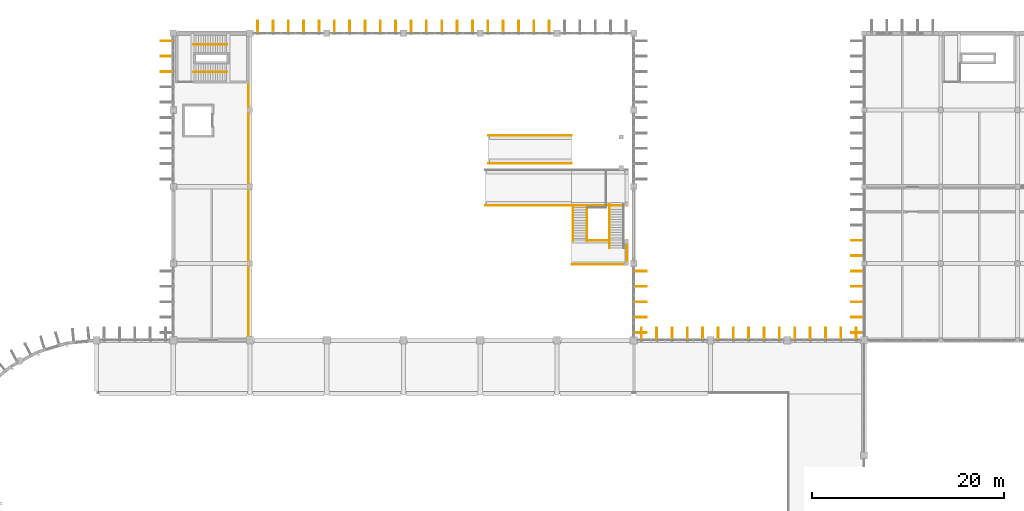
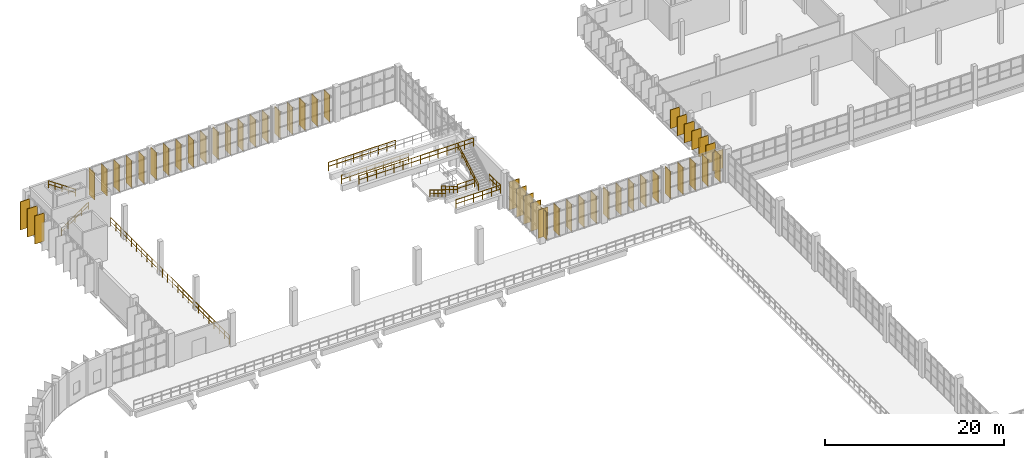
# One storey, part 90 of 93: 50 coverings, 50 shading devices, 12 railings.
"""IFC4 building model written with IfcOpenShell, lengths in metres."""

from ifc_helpers import new_model, si_unit, direction, frame, origin, origin_2d, place, context, subcontext, project, spatial, rectangle, circle, extrude, material, type_object, element, save


model = new_model("IFC4")

# Units and contexts
model_context = context("Model", 3, precision=1e-05, world=origin(), true_north=direction((0.0, 1.0)))
body_context = subcontext(model_context, "Body", "Model", "MODEL_VIEW")
ifc_project = project(units=[si_unit("LENGTHUNIT", "METRE"), si_unit("AREAUNIT", "SQUARE_METRE"), si_unit("VOLUMEUNIT", "CUBIC_METRE"), si_unit("PLANEANGLEUNIT", "RADIAN"), si_unit("MASSUNIT", "GRAM", prefix="KILO")], contexts=[model_context])

# Site, building, storey
site_placement = place(None, origin())
site = spatial("IfcSite", under=ifc_project, at=site_placement, CompositionType="ELEMENT")
building_placement = place(site_placement, origin())
building = spatial("IfcBuilding", under=site, at=building_placement, Name="Drelvana Railside Aquatics Centre", CompositionType="ELEMENT")
storey_placement = place(building_placement, frame((0.0, 0.0, 5.39990234375)))
storey = spatial("IfcBuildingStorey", under=building, at=storey_placement, Name="L01", CompositionType="ELEMENT", Elevation=5.39990234375)

# Coverings
ifc_material_1 = material(Name="Bronze-anodised extruded aluminium 6063-T6", Category="aluminium")
covering_type = type_object("IfcCoveringType", Name="COV-FIN-ALU", PredefinedType="CLADDING", material=ifc_material_1)
for number, where, z_axis, x_axis, name in (
    (1, (72.800048828125, 84.669921875, 0.0), (0.0, 0.0, 1.0), (1.0, 0.0, 0.0), "Vertical aluminium fin cladding CF-0150"),
    (2, (74.39990234375, 84.669921875, 0.0), (0.0, 0.0, 1.0), (1.0, 0.0, 0.0), "Vertical aluminium fin cladding CF-0151"),
    (3, (76.0, 84.669921875, 0.0), (0.0, 0.0, 1.0), (1.0, 0.0, 0.0), "Vertical aluminium fin cladding CF-0152"),
    (4, (77.60009765625, 84.669921875, 0.0), (0.0, 0.0, 1.0), (1.0, 0.0, 0.0), "Vertical aluminium fin cladding CF-0153"),
    (5, (79.199951171875, 84.669921875, 0.0), (0.0, 0.0, 1.0), (1.0, 0.0, 0.0), "Vertical aluminium fin cladding CF-0154"),
    (6, (80.800048828125, 84.669921875, 0.0), (0.0, 0.0, 1.0), (1.0, 0.0, 0.0), "Vertical aluminium fin cladding CF-0155"),
    (7, (82.39990234375, 84.669921875, 0.0), (0.0, 0.0, 1.0), (1.0, 0.0, 0.0), "Vertical aluminium fin cladding CF-0156"),
    (8, (84.0, 84.669921875, 0.0), (0.0, 0.0, 1.0), (1.0, 0.0, 0.0), "Vertical aluminium fin cladding CF-0157"),
    (9, (85.60009765625, 84.669921875, 0.0), (0.0, 0.0, 1.0), (1.0, 0.0, 0.0), "Vertical aluminium fin cladding CF-0158"),
    (10, (87.199951171875, 84.669921875, 0.0), (0.0, 0.0, 1.0), (1.0, 0.0, 0.0), "Vertical aluminium fin cladding CF-0159"),
    (11, (88.800048828125, 84.669921875, 0.0), (0.0, 0.0, 1.0), (1.0, 0.0, 0.0), "Vertical aluminium fin cladding CF-0165"),
    (12, (90.39990234375, 84.669921875, 0.0), (0.0, 0.0, 1.0), (1.0, 0.0, 0.0), "Vertical aluminium fin cladding CF-0166"),
    (13, (92.0, 84.669921875, 0.0), (0.0, 0.0, 1.0), (1.0, 0.0, 0.0), "Vertical aluminium fin cladding CF-0167"),
    (14, (93.60009765625, 84.669921875, 0.0), (0.0, 0.0, 1.0), (1.0, 0.0, 0.0), "Vertical aluminium fin cladding CF-0168"),
    (15, (95.199951171875, 84.669921875, 0.0), (0.0, 0.0, 1.0), (1.0, 0.0, 0.0), "Vertical aluminium fin cladding CF-0169"),
    (16, (32.800048828125, 116.669921875, 0.0), (0.0, 0.0, 1.0), (1.0, 0.0, 0.0), "Vertical aluminium fin cladding CF-0170"),
    (17, (34.39990234375, 116.669921875, 0.0), (0.0, 0.0, 1.0), (1.0, 0.0, 0.0), "Vertical aluminium fin cladding CF-0171"),
    (18, (36.0, 116.669921875, 0.0), (0.0, 0.0, 1.0), (1.0, 0.0, 0.0), "Vertical aluminium fin cladding CF-0172"),
    (19, (37.60009765625, 116.669921875, 0.0), (0.0, 0.0, 1.0), (1.0, 0.0, 0.0), "Vertical aluminium fin cladding CF-0173"),
    (20, (39.199951171875, 116.669921875, 0.0), (0.0, 0.0, 1.0), (1.0, 0.0, 0.0), "Vertical aluminium fin cladding CF-0174"),
    (21, (40.800048828125, 116.669921875, 0.0), (0.0, 0.0, 1.0), (1.0, 0.0, 0.0), "Vertical aluminium fin cladding CF-0175"),
    (22, (42.39990234375, 116.669921875, 0.0), (0.0, 0.0, 1.0), (1.0, 0.0, 0.0), "Vertical aluminium fin cladding CF-0176"),
    (23, (44.0, 116.669921875, 0.0), (0.0, 0.0, 1.0), (1.0, 0.0, 0.0), "Vertical aluminium fin cladding CF-0177"),
    (24, (45.60009765625, 116.669921875, 0.0), (0.0, 0.0, 1.0), (1.0, 0.0, 0.0), "Vertical aluminium fin cladding CF-0178"),
    (25, (47.199951171875, 116.669921875, 0.0), (0.0, 0.0, 1.0), (1.0, 0.0, 0.0), "Vertical aluminium fin cladding CF-0179"),
    (26, (48.800048828125, 116.669921875, 0.0), (0.0, 0.0, 1.0), (1.0, 0.0, 0.0), "Vertical aluminium fin cladding CF-0180"),
    (27, (50.39990234375, 116.669921875, 0.0), (0.0, 0.0, 1.0), (1.0, 0.0, 0.0), "Vertical aluminium fin cladding CF-0181"),
    (28, (52.0, 116.669921875, 0.0), (0.0, 0.0, 1.0), (1.0, 0.0, 0.0), "Vertical aluminium fin cladding CF-0182"),
    (29, (53.60009765625, 116.669921875, 0.0), (0.0, 0.0, 1.0), (1.0, 0.0, 0.0), "Vertical aluminium fin cladding CF-0183"),
    (30, (55.199951171875, 116.669921875, 0.0), (0.0, 0.0, 1.0), (1.0, 0.0, 0.0), "Vertical aluminium fin cladding CF-0184"),
    (31, (56.800048828125, 116.669921875, 0.0), (0.0, 0.0, 1.0), (1.0, 0.0, 0.0), "Vertical aluminium fin cladding CF-0185"),
    (32, (58.39990234375, 116.669921875, 0.0), (0.0, 0.0, 1.0), (1.0, 0.0, 0.0), "Vertical aluminium fin cladding CF-0186"),
    (33, (60.0, 116.669921875, 0.0), (0.0, 0.0, 1.0), (1.0, 0.0, 0.0), "Vertical aluminium fin cladding CF-0187"),
    (34, (61.60009765625, 116.669921875, 0.0), (0.0, 0.0, 1.0), (1.0, 0.0, 0.0), "Vertical aluminium fin cladding CF-0188"),
    (35, (63.199951171875, 116.669921875, 0.0), (0.0, 0.0, 1.0), (1.0, 0.0, 0.0), "Vertical aluminium fin cladding CF-0189"),
):
    element("IfcCovering", number, at=place(storey_placement, frame(where, z_axis=z_axis, x_axis=x_axis)), inside=storey, type_object=covering_type, Name=name, PredefinedType="CLADDING", context=body_context, shape_type="SweptSolid", body=[
        extrude(rectangle(XDim=0.0849609375, YDim=1.25, at=origin_2d()), origin(), (0.0, 0.0, 1.0), 3.699951171875),
    ])
for number, where, z_axis, x_axis, name in (
    (36, (23.31494140625, 112.0, 0.0), (0.0, 0.0, 1.0), (0.0, 1.0, 0.0), "Vertical aluminium fin cladding CF-0443"),
    (37, (23.31494140625, 113.60009765625, 0.0), (0.0, 0.0, 1.0), (0.0, 1.0, 0.0), "Vertical aluminium fin cladding CF-0444"),
    (38, (23.31494140625, 115.199951171875, 0.0), (0.0, 0.0, 1.0), (0.0, 1.0, 0.0), "Vertical aluminium fin cladding CF-0445"),
    (39, (72.68505859375, 84.800048828125, 0.0), (0.0, 0.0, 1.0), (0.0, -1.0, 0.0), "Vertical aluminium fin cladding CF-0446"),
    (40, (72.68505859375, 86.39990234375, 0.0), (0.0, 0.0, 1.0), (0.0, -1.0, 0.0), "Vertical aluminium fin cladding CF-0447"),
    (41, (72.68505859375, 88.0, 0.0), (0.0, 0.0, 1.0), (0.0, -1.0, 0.0), "Vertical aluminium fin cladding CF-0448"),
    (42, (72.68505859375, 89.60009765625, 0.0), (0.0, 0.0, 1.0), (0.0, -1.0, 0.0), "Vertical aluminium fin cladding CF-0449"),
    (43, (72.68505859375, 91.199951171875, 0.0), (0.0, 0.0, 1.0), (0.0, -1.0, 0.0), "Vertical aluminium fin cladding CF-0450"),
):
    element("IfcCovering", number, at=place(storey_placement, frame(where, z_axis=z_axis, x_axis=x_axis)), inside=storey, type_object=covering_type, Name=name, PredefinedType="CLADDING", context=body_context, shape_type="SweptSolid", body=[
        extrude(rectangle(XDim=0.0849609375, YDim=1.25, at=origin_2d()), origin(), (0.0, 0.0, 1.0), 3.85009765625),
    ])
for number, where, z_axis, x_axis, name in (
    (44, (95.31494140625, 84.800048828125, 1.25), (0.0, 0.0, 1.0), (0.0, 1.0, 0.0), "Vertical aluminium fin cladding CF-0501"),
    (45, (95.31494140625, 86.39990234375, 1.25), (0.0, 0.0, 1.0), (0.0, 1.0, 0.0), "Vertical aluminium fin cladding CF-0502"),
    (46, (95.31494140625, 88.0, 1.25), (0.0, 0.0, 1.0), (0.0, 1.0, 0.0), "Vertical aluminium fin cladding CF-0503"),
    (47, (95.31494140625, 89.60009765625, 1.25), (0.0, 0.0, 1.0), (0.0, 1.0, 0.0), "Vertical aluminium fin cladding CF-0504"),
    (48, (95.31494140625, 91.199951171875, 1.25), (0.0, 0.0, 1.0), (0.0, 1.0, 0.0), "Vertical aluminium fin cladding CF-0505"),
    (49, (95.31494140625, 92.800048828125, 1.25), (0.0, 0.0, 1.0), (0.0, 1.0, 0.0), "Vertical aluminium fin cladding CF-0511"),
    (50, (95.31494140625, 94.39990234375, 1.25), (0.0, 0.0, 1.0), (0.0, 1.0, 0.0), "Vertical aluminium fin cladding CF-0512"),
):
    element("IfcCovering", number, at=place(storey_placement, frame(where, z_axis=z_axis, x_axis=x_axis)), inside=storey, type_object=covering_type, Name=name, PredefinedType="CLADDING", context=body_context, shape_type="SweptSolid", body=[
        extrude(rectangle(XDim=0.0849609375, YDim=1.25, at=origin_2d()), origin(), (0.0, 0.0, 1.0), 2.550048828125),
    ])

# Railings
ifc_material_2 = material(Name="Laminated glass and bronze-stainless gallery balustrade", Category="glass")
railing_type_1 = type_object("IfcRailingType", Name="RAL-GALLERY-1150", PredefinedType="BALUSTRADE", material=ifc_material_2)
railing_1_placement = place(storey_placement, frame((31.85009765625, 84.199951171875, 0.0)))
element("IfcRailing", 51, at=railing_1_placement, inside=storey, type_object=railing_type_1, Name="Gallery balustrade 9 (L01)", PredefinedType="BALUSTRADE", context=body_context, shape_type="SweptSolid", body=[
    extrude(circle(Radius=0.02392578125, at=origin_2d()), frame((0.0, 0.0, 1.1259765625), z_axis=(0.0, 1.0, 0.0), x_axis=(-1.0, 0.0, 0.0)), (0.0, 0.0, 1.0), 26.60009765625),
    extrude(circle(Radius=0.02392578125, at=origin_2d()), frame((0.0, 0.0, 0.574951171875), z_axis=(0.0, 1.0, 0.0), x_axis=(-1.0, 0.0, 0.0)), (0.0, 0.0, 1.0), 26.60009765625),
    extrude(circle(Radius=0.02099609375, at=origin_2d()), origin(), (0.0, 0.0, 1.0), 1.101806640625),
    extrude(circle(Radius=0.02099609375, at=origin_2d()), frame((0.0, 1.156494140625, 0.0)), (0.0, 0.0, 1.0), 1.101806640625),
    extrude(circle(Radius=0.02099609375, at=origin_2d()), frame((0.0, 2.31298828125, 0.0)), (0.0, 0.0, 1.0), 1.101806640625),
    extrude(circle(Radius=0.02099609375, at=origin_2d()), frame((0.0, 3.469482421875, 0.0)), (0.0, 0.0, 1.0), 1.101806640625),
    extrude(circle(Radius=0.02099609375, at=origin_2d()), frame((0.0, 4.626220703125, 0.0)), (0.0, 0.0, 1.0), 1.101806640625),
    extrude(circle(Radius=0.02099609375, at=origin_2d()), frame((0.0, 5.78271484375, 0.0)), (0.0, 0.0, 1.0), 1.101806640625),
    extrude(circle(Radius=0.02099609375, at=origin_2d()), frame((0.0, 6.939208984375, 0.0)), (0.0, 0.0, 1.0), 1.101806640625),
    extrude(circle(Radius=0.02099609375, at=origin_2d()), frame((0.0, 8.095703125, 0.0)), (0.0, 0.0, 1.0), 1.101806640625),
    extrude(circle(Radius=0.02099609375, at=origin_2d()), frame((0.0, 9.252197265625, 0.0)), (0.0, 0.0, 1.0), 1.101806640625),
    extrude(circle(Radius=0.02099609375, at=origin_2d()), frame((0.0, 10.40869140625, 0.0)), (0.0, 0.0, 1.0), 1.101806640625),
    extrude(circle(Radius=0.02099609375, at=origin_2d()), frame((0.0, 11.565185546875, 0.0)), (0.0, 0.0, 1.0), 1.101806640625),
    extrude(circle(Radius=0.02099609375, at=origin_2d()), frame((0.0, 12.7216796875, 0.0)), (0.0, 0.0, 1.0), 1.101806640625),
    extrude(circle(Radius=0.02099609375, at=origin_2d()), frame((0.0, 13.87841796875, 0.0)), (0.0, 0.0, 1.0), 1.101806640625),
    extrude(circle(Radius=0.02099609375, at=origin_2d()), frame((0.0, 15.034912109375, 0.0)), (0.0, 0.0, 1.0), 1.101806640625),
    extrude(circle(Radius=0.02099609375, at=origin_2d()), frame((0.0, 16.19140625, 0.0)), (0.0, 0.0, 1.0), 1.101806640625),
    extrude(circle(Radius=0.02099609375, at=origin_2d()), frame((0.0, 17.347900390625, 0.0)), (0.0, 0.0, 1.0), 1.101806640625),
    extrude(circle(Radius=0.02099609375, at=origin_2d()), frame((0.0, 18.50439453125, 0.0)), (0.0, 0.0, 1.0), 1.101806640625),
    extrude(circle(Radius=0.02099609375, at=origin_2d()), frame((0.0, 19.660888671875, 0.0)), (0.0, 0.0, 1.0), 1.101806640625),
    extrude(circle(Radius=0.02099609375, at=origin_2d()), frame((0.0, 20.8173828125, 0.0)), (0.0, 0.0, 1.0), 1.101806640625),
    extrude(circle(Radius=0.02099609375, at=origin_2d()), frame((0.0, 21.973876953125, 0.0)), (0.0, 0.0, 1.0), 1.101806640625),
    extrude(circle(Radius=0.02099609375, at=origin_2d()), frame((0.0, 23.130615234375, 0.0)), (0.0, 0.0, 1.0), 1.101806640625),
    extrude(circle(Radius=0.02099609375, at=origin_2d()), frame((0.0, 24.287109375, 0.0)), (0.0, 0.0, 1.0), 1.101806640625),
    extrude(circle(Radius=0.02099609375, at=origin_2d()), frame((0.0, 25.443603515625, 0.0)), (0.0, 0.0, 1.0), 1.101806640625),
    extrude(circle(Radius=0.02099609375, at=origin_2d()), frame((0.0, 26.60009765625, 0.0)), (0.0, 0.0, 1.0), 1.101806640625),
])
ifc_material_3 = material(Name="Brushed stainless steel stair pitch handrail", Category="steel")
railing_type_2 = type_object("IfcRailingType", Name="RAL-HANDRAIL-950", PredefinedType="HANDRAIL", material=ifc_material_3)
railing_2_placement = place(storey_placement, frame((26.1201171875, 111.949951171875, 0.0)))
element("IfcRailing", 52, at=railing_2_placement, inside=storey, type_object=railing_type_2, Name="Stair ST-03 flight 1 handrail (L01)", PredefinedType="HANDRAIL", context=body_context, shape_type="SweptSolid", body=[
    extrude(circle(Radius=0.02392578125, at=origin_2d()), frame((0.0, 0.0, 0.92578125), z_axis=(0.824712752785, 0.0, 0.565551832633), x_axis=(0.0, 1.0, 0.0)), (0.0, 0.0, 1.0), 4.243896484375),
    extrude(circle(Radius=0.02392578125, at=origin_2d()), frame((0.0, 0.0, 0.47509765625), z_axis=(0.824712752785, 0.0, 0.565551832633), x_axis=(0.0, 1.0, 0.0)), (0.0, 0.0, 1.0), 4.243896484375),
    extrude(circle(Radius=0.02099609375, at=origin_2d()), origin(), (0.0, 0.0, 1.0), 0.90185546875),
    extrude(circle(Radius=0.02099609375, at=origin_2d()), frame((0.875, 0.0, 0.60009765625)), (0.0, 0.0, 1.0), 0.90185546875),
    extrude(circle(Radius=0.02099609375, at=origin_2d()), frame((1.75, 0.0, 1.2001953125)), (0.0, 0.0, 1.0), 0.90185546875),
    extrude(circle(Radius=0.02099609375, at=origin_2d()), frame((2.625, 0.0, 1.800048828125)), (0.0, 0.0, 1.0), 0.90185546875),
    extrude(circle(Radius=0.02099609375, at=origin_2d()), frame((3.5, 0.0, 2.400146484375)), (0.0, 0.0, 1.0), 0.90185546875),
])
railing_3_placement = place(storey_placement, frame((29.6201171875, 114.85009765625, 2.400146484375)))
element("IfcRailing", 53, at=railing_3_placement, inside=storey, type_object=railing_type_2, Name="Stair ST-03 flight 2 handrail (L01)", PredefinedType="HANDRAIL", context=body_context, shape_type="SweptSolid", body=[
    extrude(circle(Radius=0.02392578125, at=origin_2d()), frame((0.0, 0.0, 0.92578125), z_axis=(-0.824739584531, 0.0, 0.5655127034), x_axis=(0.0, -1.0, 0.0)), (0.0, 0.0, 1.0), 4.24365234375),
    extrude(circle(Radius=0.02392578125, at=origin_2d()), frame((0.0, 0.0, 0.47509765625), z_axis=(-0.824739584531, 0.0, 0.5655127034), x_axis=(0.0, -1.0, 0.0)), (0.0, 0.0, 1.0), 4.24365234375),
    extrude(circle(Radius=0.02099609375, at=origin_2d()), origin(), (0.0, 0.0, 1.0), 0.90185546875),
    extrude(circle(Radius=0.02099609375, at=origin_2d()), frame((-0.875, 0.0, 0.60009765625)), (0.0, 0.0, 1.0), 0.90185546875),
    extrude(circle(Radius=0.02099609375, at=origin_2d()), frame((-1.75, 0.0, 1.199951171875)), (0.0, 0.0, 1.0), 0.90185546875),
    extrude(circle(Radius=0.02099609375, at=origin_2d()), frame((-2.625, 0.0, 1.7998046875)), (0.0, 0.0, 1.0), 0.90185546875),
    extrude(circle(Radius=0.02099609375, at=origin_2d()), frame((-3.5, 0.0, 2.39990234375)), (0.0, 0.0, 1.0), 0.90185546875),
])
for number, where, name in (
    (54, (65.659912109375, 97.860107421875, 0.0), "Diving stair ST-DV2 flight 1 W handrail"),
    (55, (67.139892578125, 97.860107421875, 0.0), "Diving stair ST-DV2 flight 1 E handrail"),
):
    element("IfcRailing", number, at=place(storey_placement, frame(where)), inside=storey, type_object=railing_type_2, Name=name, PredefinedType="HANDRAIL", context=body_context, shape_type="SweptSolid", body=[
        extrude(circle(Radius=0.02392578125, at=origin_2d()), frame((0.0, 0.0, 0.92578125), z_axis=(0.0, -0.858129521533, 0.513433271491), x_axis=(1.0, 0.0, 0.0)), (0.0, 0.0, 1.0), 4.09033203125),
        extrude(circle(Radius=0.02392578125, at=origin_2d()), frame((0.0, 0.0, 0.47509765625), z_axis=(0.0, -0.858129521533, 0.513433271491), x_axis=(1.0, 0.0, 0.0)), (0.0, 0.0, 1.0), 4.09033203125),
        extrude(circle(Radius=0.02099609375, at=origin_2d()), origin(), (0.0, 0.0, 1.0), 0.90185546875),
        extrude(circle(Radius=0.02099609375, at=origin_2d()), frame((0.0, -0.87744140625, 0.52490234375)), (0.0, 0.0, 1.0), 0.90185546875),
        extrude(circle(Radius=0.02099609375, at=origin_2d()), frame((0.0, -1.7548828125, 1.050048828125)), (0.0, 0.0, 1.0), 0.90185546875),
        extrude(circle(Radius=0.02099609375, at=origin_2d()), frame((0.0, -2.632568359375, 1.5751953125)), (0.0, 0.0, 1.0), 0.90185546875),
        extrude(circle(Radius=0.02099609375, at=origin_2d()), frame((0.0, -3.510009765625, 2.10009765625)), (0.0, 0.0, 1.0), 0.90185546875),
    ])
railing_4_placement = place(storey_placement, frame((69.4599609375, 93.610107421875, 2.10009765625)))
element("IfcRailing", 56, at=railing_4_placement, inside=storey, type_object=railing_type_2, Name="Diving stair ST-DV2 flight 2 W handrail", PredefinedType="HANDRAIL", context=body_context, shape_type="SweptSolid", body=[
    extrude(circle(Radius=0.02392578125, at=origin_2d()), frame((0.0, 0.0, 0.92578125), z_axis=(0.0, 0.861930679349, 0.50702613739), x_axis=(-1.0, 0.0, 0.0)), (0.0, 0.0, 1.0), 5.324951171875),
    extrude(circle(Radius=0.02392578125, at=origin_2d()), frame((0.0, 0.0, 0.47509765625), z_axis=(0.0, 0.861930679349, 0.50702613739), x_axis=(-1.0, 0.0, 0.0)), (0.0, 0.0, 1.0), 5.324951171875),
    extrude(circle(Radius=0.02099609375, at=origin_2d()), origin(), (0.0, 0.0, 1.0), 0.90185546875),
    extrude(circle(Radius=0.02099609375, at=origin_2d()), frame((0.0, 0.91796875, 0.5400390625)), (0.0, 0.0, 1.0), 0.90185546875),
    extrude(circle(Radius=0.02099609375, at=origin_2d()), frame((0.0, 1.8359375, 1.080078125)), (0.0, 0.0, 1.0), 0.90185546875),
    extrude(circle(Radius=0.02099609375, at=origin_2d()), frame((0.0, 2.75390625, 1.619873046875)), (0.0, 0.0, 1.0), 0.90185546875),
    extrude(circle(Radius=0.02099609375, at=origin_2d()), frame((0.0, 3.671875, 2.159912109375)), (0.0, 0.0, 1.0), 0.90185546875),
    extrude(circle(Radius=0.02099609375, at=origin_2d()), frame((0.0, 4.58984375, 2.699951171875)), (0.0, 0.0, 1.0), 0.90185546875),
])
ifc_material_4 = material(Name="Brushed stainless steel stairwell guard", Category="steel")
railing_type_3 = type_object("IfcRailingType", Name="RAL-STAIR-1150", PredefinedType="GUARDRAIL", material=ifc_material_4)
railing_5_placement = place(storey_placement, frame((65.550048828125, 91.89990234375, 2.10009765625)))
element("IfcRailing", 57, at=railing_5_placement, inside=storey, type_object=railing_type_3, Name="Diving stair landing guard 7", PredefinedType="GUARDRAIL", context=body_context, shape_type="SweptSolid", body=[
    extrude(circle(Radius=0.02392578125, at=origin_2d()), frame((0.0, 0.0, 1.1259765625), z_axis=(1.0, 0.0, 0.0), x_axis=(0.0, 1.0, 0.0)), (0.0, 0.0, 1.0), 5.75),
    extrude(circle(Radius=0.02392578125, at=origin_2d()), frame((0.0, 0.0, 0.574951171875), z_axis=(1.0, 0.0, 0.0), x_axis=(0.0, 1.0, 0.0)), (0.0, 0.0, 1.0), 5.75),
    extrude(circle(Radius=0.02099609375, at=origin_2d()), origin(), (0.0, 0.0, 1.0), 1.101806640625),
    extrude(circle(Radius=0.02099609375, at=origin_2d()), frame((1.14990234375, 0.0, 0.0)), (0.0, 0.0, 1.0), 1.101806640625),
    extrude(circle(Radius=0.02099609375, at=origin_2d()), frame((2.300048828125, 0.0, 0.0)), (0.0, 0.0, 1.0), 1.101806640625),
    extrude(circle(Radius=0.02099609375, at=origin_2d()), frame((3.449951171875, 0.0, 0.0)), (0.0, 0.0, 1.0), 1.101806640625),
    extrude(circle(Radius=0.02099609375, at=origin_2d()), frame((4.60009765625, 0.0, 0.0)), (0.0, 0.0, 1.0), 1.101806640625),
    extrude(circle(Radius=0.02099609375, at=origin_2d()), frame((5.75, 0.0, 0.0)), (0.0, 0.0, 1.0), 1.101806640625),
])
railing_6_placement = place(storey_placement, frame((71.300048828125, 91.89990234375, 2.10009765625)))
element("IfcRailing", 58, at=railing_6_placement, inside=storey, type_object=railing_type_3, Name="Diving stair landing guard 8", PredefinedType="GUARDRAIL", context=body_context, shape_type="SweptSolid", body=[
    extrude(circle(Radius=0.02392578125, at=origin_2d()), frame((0.0, 0.0, 1.1259765625), z_axis=(0.0, 1.0, 0.0), x_axis=(-1.0, 0.0, 0.0)), (0.0, 0.0, 1.0), 2.5),
    extrude(circle(Radius=0.02392578125, at=origin_2d()), frame((0.0, 0.0, 0.574951171875), z_axis=(0.0, 1.0, 0.0), x_axis=(-1.0, 0.0, 0.0)), (0.0, 0.0, 1.0), 2.5),
    extrude(circle(Radius=0.02099609375, at=origin_2d()), origin(), (0.0, 0.0, 1.0), 1.101806640625),
    extrude(circle(Radius=0.02099609375, at=origin_2d()), frame((0.0, 0.833251953125, 0.0)), (0.0, 0.0, 1.0), 1.101806640625),
    extrude(circle(Radius=0.02099609375, at=origin_2d()), frame((0.0, 1.666748046875, 0.0)), (0.0, 0.0, 1.0), 1.101806640625),
    extrude(circle(Radius=0.02099609375, at=origin_2d()), frame((0.0, 2.5, 0.0)), (0.0, 0.0, 1.0), 1.101806640625),
])
railing_7_placement = place(storey_placement, frame((67.199951171875, 94.39990234375, 2.10009765625)))
element("IfcRailing", 59, at=railing_7_placement, inside=storey, type_object=railing_type_3, Name="Diving stair landing guard 9", PredefinedType="GUARDRAIL", context=body_context, shape_type="SweptSolid", body=[
    extrude(circle(Radius=0.02392578125, at=origin_2d()), frame((0.0, 0.0, 1.1259765625), z_axis=(1.0, 0.0, 0.0), x_axis=(0.0, 1.0, 0.0)), (0.0, 0.0, 1.0), 2.199951171875),
    extrude(circle(Radius=0.02392578125, at=origin_2d()), frame((0.0, 0.0, 0.574951171875), z_axis=(1.0, 0.0, 0.0), x_axis=(0.0, 1.0, 0.0)), (0.0, 0.0, 1.0), 2.199951171875),
    extrude(circle(Radius=0.02099609375, at=origin_2d()), origin(), (0.0, 0.0, 1.0), 1.101806640625),
    extrude(circle(Radius=0.02099609375, at=origin_2d()), frame((1.10009765625, 0.0, 0.0)), (0.0, 0.0, 1.0), 1.101806640625),
    extrude(circle(Radius=0.02099609375, at=origin_2d()), frame((2.199951171875, 0.0, 0.0)), (0.0, 0.0, 1.0), 1.101806640625),
])
for number, where, name in (
    (60, (56.85009765625, 102.43994140625, 2.10009765625), "Diving platform 7M5 side guard 1"),
    (61, (56.85009765625, 105.360107421875, 2.10009765625), "Diving platform 7M5 side guard 2"),
):
    element("IfcRailing", number, at=place(storey_placement, frame(where)), inside=storey, type_object=railing_type_3, Name=name, PredefinedType="GUARDRAIL", context=body_context, shape_type="SweptSolid", body=[
        extrude(circle(Radius=0.02392578125, at=origin_2d()), frame((0.0, 0.0, 1.1259765625), z_axis=(1.0, 0.0, 0.0), x_axis=(0.0, 1.0, 0.0)), (0.0, 0.0, 1.0), 8.64990234375),
        extrude(circle(Radius=0.02392578125, at=origin_2d()), frame((0.0, 0.0, 0.574951171875), z_axis=(1.0, 0.0, 0.0), x_axis=(0.0, 1.0, 0.0)), (0.0, 0.0, 1.0), 8.64990234375),
        extrude(circle(Radius=0.02099609375, at=origin_2d()), origin(), (0.0, 0.0, 1.0), 1.101806640625),
        extrude(circle(Radius=0.02099609375, at=origin_2d()), frame((1.081298828125, 0.0, 0.0)), (0.0, 0.0, 1.0), 1.101806640625),
        extrude(circle(Radius=0.02099609375, at=origin_2d()), frame((2.16259765625, 0.0, 0.0)), (0.0, 0.0, 1.0), 1.101806640625),
        extrude(circle(Radius=0.02099609375, at=origin_2d()), frame((3.24365234375, 0.0, 0.0)), (0.0, 0.0, 1.0), 1.101806640625),
        extrude(circle(Radius=0.02099609375, at=origin_2d()), frame((4.324951171875, 0.0, 0.0)), (0.0, 0.0, 1.0), 1.101806640625),
        extrude(circle(Radius=0.02099609375, at=origin_2d()), frame((5.40625, 0.0, 0.0)), (0.0, 0.0, 1.0), 1.101806640625),
        extrude(circle(Radius=0.02099609375, at=origin_2d()), frame((6.4873046875, 0.0, 0.0)), (0.0, 0.0, 1.0), 1.101806640625),
        extrude(circle(Radius=0.02099609375, at=origin_2d()), frame((7.568603515625, 0.0, 0.0)), (0.0, 0.0, 1.0), 1.101806640625),
        extrude(circle(Radius=0.02099609375, at=origin_2d()), frame((8.64990234375, 0.0, 0.0)), (0.0, 0.0, 1.0), 1.101806640625),
    ])
railing_8_placement = place(storey_placement, frame((56.550048828125, 98.0400390625, 4.800048828125)))
element("IfcRailing", 62, at=railing_8_placement, inside=storey, type_object=railing_type_3, Name="Diving platform 10M side guard 1", PredefinedType="GUARDRAIL", context=body_context, shape_type="SweptSolid", body=[
    extrude(circle(Radius=0.02392578125, at=origin_2d()), frame((0.0, 0.0, 1.1259765625), z_axis=(1.0, 0.0, 0.0), x_axis=(0.0, 1.0, 0.0)), (0.0, 0.0, 1.0), 14.800048828125),
    extrude(circle(Radius=0.02392578125, at=origin_2d()), frame((0.0, 0.0, 0.574951171875), z_axis=(1.0, 0.0, 0.0), x_axis=(0.0, 1.0, 0.0)), (0.0, 0.0, 1.0), 14.800048828125),
    extrude(circle(Radius=0.02099609375, at=origin_2d()), origin(), (0.0, 0.0, 1.0), 1.101806640625),
    extrude(circle(Radius=0.02099609375, at=origin_2d()), frame((1.138427734375, 0.0, 0.0)), (0.0, 0.0, 1.0), 1.101806640625),
    extrude(circle(Radius=0.02099609375, at=origin_2d()), frame((2.27685546875, 0.0, 0.0)), (0.0, 0.0, 1.0), 1.101806640625),
    extrude(circle(Radius=0.02099609375, at=origin_2d()), frame((3.415283203125, 0.0, 0.0)), (0.0, 0.0, 1.0), 1.101806640625),
    extrude(circle(Radius=0.02099609375, at=origin_2d()), frame((4.553955078125, 0.0, 0.0)), (0.0, 0.0, 1.0), 1.101806640625),
    extrude(circle(Radius=0.02099609375, at=origin_2d()), frame((5.6923828125, 0.0, 0.0)), (0.0, 0.0, 1.0), 1.101806640625),
    extrude(circle(Radius=0.02099609375, at=origin_2d()), frame((6.830810546875, 0.0, 0.0)), (0.0, 0.0, 1.0), 1.101806640625),
    extrude(circle(Radius=0.02099609375, at=origin_2d()), frame((7.96923828125, 0.0, 0.0)), (0.0, 0.0, 1.0), 1.101806640625),
    extrude(circle(Radius=0.02099609375, at=origin_2d()), frame((9.107666015625, 0.0, 0.0)), (0.0, 0.0, 1.0), 1.101806640625),
    extrude(circle(Radius=0.02099609375, at=origin_2d()), frame((10.24609375, 0.0, 0.0)), (0.0, 0.0, 1.0), 1.101806640625),
    extrude(circle(Radius=0.02099609375, at=origin_2d()), frame((11.384765625, 0.0, 0.0)), (0.0, 0.0, 1.0), 1.101806640625),
    extrude(circle(Radius=0.02099609375, at=origin_2d()), frame((12.523193359375, 0.0, 0.0)), (0.0, 0.0, 1.0), 1.101806640625),
    extrude(circle(Radius=0.02099609375, at=origin_2d()), frame((13.66162109375, 0.0, 0.0)), (0.0, 0.0, 1.0), 1.101806640625),
    extrude(circle(Radius=0.02099609375, at=origin_2d()), frame((14.800048828125, 0.0, 0.0)), (0.0, 0.0, 1.0), 1.101806640625),
])

# Shading devices
shading_device_type = type_object("IfcShadingDeviceType", Name="SHD-FIN-1250", PredefinedType="USERDEFINED", material=ifc_material_1)
for number, where, z_axis, x_axis, name in (
    (63, (72.800048828125, 84.68994140625, 0.0), (0.0, 0.0, 1.0), (0.0, 1.0, 0.0), "Vertical bronze shading fin FN-0152"),
    (64, (74.39990234375, 84.68994140625, 0.0), (0.0, 0.0, 1.0), (0.0, 1.0, 0.0), "Vertical bronze shading fin FN-0153"),
    (65, (76.0, 84.68994140625, 0.0), (0.0, 0.0, 1.0), (0.0, 1.0, 0.0), "Vertical bronze shading fin FN-0154"),
    (66, (77.60009765625, 84.68994140625, 0.0), (0.0, 0.0, 1.0), (0.0, 1.0, 0.0), "Vertical bronze shading fin FN-0155"),
    (67, (79.199951171875, 84.68994140625, 0.0), (0.0, 0.0, 1.0), (0.0, 1.0, 0.0), "Vertical bronze shading fin FN-0156"),
    (68, (80.800048828125, 84.68994140625, 0.0), (0.0, 0.0, 1.0), (0.0, 1.0, 0.0), "Vertical bronze shading fin FN-0158"),
    (69, (82.39990234375, 84.68994140625, 0.0), (0.0, 0.0, 1.0), (0.0, 1.0, 0.0), "Vertical bronze shading fin FN-0159"),
    (70, (84.0, 84.68994140625, 0.0), (0.0, 0.0, 1.0), (0.0, 1.0, 0.0), "Vertical bronze shading fin FN-0160"),
    (71, (85.60009765625, 84.68994140625, 0.0), (0.0, 0.0, 1.0), (0.0, 1.0, 0.0), "Vertical bronze shading fin FN-0161"),
    (72, (87.199951171875, 84.68994140625, 0.0), (0.0, 0.0, 1.0), (0.0, 1.0, 0.0), "Vertical bronze shading fin FN-0162"),
    (73, (88.800048828125, 84.68994140625, 0.0), (0.0, 0.0, 1.0), (0.0, 1.0, 0.0), "Vertical bronze shading fin FN-0168"),
    (74, (90.39990234375, 84.68994140625, 0.0), (0.0, 0.0, 1.0), (0.0, 1.0, 0.0), "Vertical bronze shading fin FN-0169"),
    (75, (92.0, 84.68994140625, 0.0), (0.0, 0.0, 1.0), (0.0, 1.0, 0.0), "Vertical bronze shading fin FN-0170"),
    (76, (93.60009765625, 84.68994140625, 0.0), (0.0, 0.0, 1.0), (0.0, 1.0, 0.0), "Vertical bronze shading fin FN-0171"),
    (77, (95.199951171875, 84.68994140625, 0.0), (0.0, 0.0, 1.0), (0.0, 1.0, 0.0), "Vertical bronze shading fin FN-0172"),
    (78, (32.800048828125, 116.68994140625, 0.0), (0.0, 0.0, 1.0), (0.0, 1.0, 0.0), "Vertical bronze shading fin FN-0174"),
    (79, (34.39990234375, 116.68994140625, 0.0), (0.0, 0.0, 1.0), (0.0, 1.0, 0.0), "Vertical bronze shading fin FN-0175"),
    (80, (36.0, 116.68994140625, 0.0), (0.0, 0.0, 1.0), (0.0, 1.0, 0.0), "Vertical bronze shading fin FN-0176"),
    (81, (37.60009765625, 116.68994140625, 0.0), (0.0, 0.0, 1.0), (0.0, 1.0, 0.0), "Vertical bronze shading fin FN-0177"),
    (82, (39.199951171875, 116.68994140625, 0.0), (0.0, 0.0, 1.0), (0.0, 1.0, 0.0), "Vertical bronze shading fin FN-0178"),
    (83, (40.800048828125, 116.68994140625, 0.0), (0.0, 0.0, 1.0), (0.0, 1.0, 0.0), "Vertical bronze shading fin FN-0180"),
    (84, (42.39990234375, 116.68994140625, 0.0), (0.0, 0.0, 1.0), (0.0, 1.0, 0.0), "Vertical bronze shading fin FN-0181"),
    (85, (44.0, 116.68994140625, 0.0), (0.0, 0.0, 1.0), (0.0, 1.0, 0.0), "Vertical bronze shading fin FN-0182"),
    (86, (45.60009765625, 116.68994140625, 0.0), (0.0, 0.0, 1.0), (0.0, 1.0, 0.0), "Vertical bronze shading fin FN-0183"),
    (87, (47.199951171875, 116.68994140625, 0.0), (0.0, 0.0, 1.0), (0.0, 1.0, 0.0), "Vertical bronze shading fin FN-0184"),
    (88, (48.800048828125, 116.68994140625, 0.0), (0.0, 0.0, 1.0), (0.0, 1.0, 0.0), "Vertical bronze shading fin FN-0186"),
    (89, (50.39990234375, 116.68994140625, 0.0), (0.0, 0.0, 1.0), (0.0, 1.0, 0.0), "Vertical bronze shading fin FN-0187"),
    (90, (52.0, 116.68994140625, 0.0), (0.0, 0.0, 1.0), (0.0, 1.0, 0.0), "Vertical bronze shading fin FN-0188"),
    (91, (53.60009765625, 116.68994140625, 0.0), (0.0, 0.0, 1.0), (0.0, 1.0, 0.0), "Vertical bronze shading fin FN-0189"),
    (92, (55.199951171875, 116.68994140625, 0.0), (0.0, 0.0, 1.0), (0.0, 1.0, 0.0), "Vertical bronze shading fin FN-0190"),
    (93, (56.800048828125, 116.68994140625, 0.0), (0.0, 0.0, 1.0), (0.0, 1.0, 0.0), "Vertical bronze shading fin FN-0192"),
    (94, (58.39990234375, 116.68994140625, 0.0), (0.0, 0.0, 1.0), (0.0, 1.0, 0.0), "Vertical bronze shading fin FN-0193"),
    (95, (60.0, 116.68994140625, 0.0), (0.0, 0.0, 1.0), (0.0, 1.0, 0.0), "Vertical bronze shading fin FN-0194"),
    (96, (61.60009765625, 116.68994140625, 0.0), (0.0, 0.0, 1.0), (0.0, 1.0, 0.0), "Vertical bronze shading fin FN-0195"),
    (97, (63.199951171875, 116.68994140625, 0.0), (0.0, 0.0, 1.0), (0.0, 1.0, 0.0), "Vertical bronze shading fin FN-0196"),
):
    element("IfcShadingDevice", number, at=place(storey_placement, frame(where, z_axis=z_axis, x_axis=x_axis)), inside=storey, type_object=shading_device_type, Name=name, ObjectType="FIN", PredefinedType="USERDEFINED", context=body_context, shape_type="SweptSolid", body=[
        extrude(rectangle(XDim=1.25, YDim=0.06494140625, at=origin_2d()), origin(), (0.0, 0.0, 1.0), 3.699951171875),
    ])
for number, where, z_axis, x_axis, name in (
    (98, (23.294921875, 112.0, 0.0), (0.0, 0.0, 1.0), (-1.0, 0.0, 0.0), "Vertical bronze shading fin FN-0450"),
    (99, (23.294921875, 113.60009765625, 0.0), (0.0, 0.0, 1.0), (-1.0, 0.0, 0.0), "Vertical bronze shading fin FN-0451"),
    (100, (23.294921875, 115.199951171875, 0.0), (0.0, 0.0, 1.0), (-1.0, 0.0, 0.0), "Vertical bronze shading fin FN-0452"),
    (101, (72.705078125, 84.800048828125, 0.0), (0.0, 0.0, 1.0), (1.0, 0.0, 0.0), "Vertical bronze shading fin FN-0453"),
    (102, (72.705078125, 86.39990234375, 0.0), (0.0, 0.0, 1.0), (1.0, 0.0, 0.0), "Vertical bronze shading fin FN-0454"),
    (103, (72.705078125, 88.0, 0.0), (0.0, 0.0, 1.0), (1.0, 0.0, 0.0), "Vertical bronze shading fin FN-0455"),
    (104, (72.705078125, 89.60009765625, 0.0), (0.0, 0.0, 1.0), (1.0, 0.0, 0.0), "Vertical bronze shading fin FN-0456"),
    (105, (72.705078125, 91.199951171875, 0.0), (0.0, 0.0, 1.0), (1.0, 0.0, 0.0), "Vertical bronze shading fin FN-0457"),
):
    element("IfcShadingDevice", number, at=place(storey_placement, frame(where, z_axis=z_axis, x_axis=x_axis)), inside=storey, type_object=shading_device_type, Name=name, ObjectType="FIN", PredefinedType="USERDEFINED", context=body_context, shape_type="SweptSolid", body=[
        extrude(rectangle(XDim=1.25, YDim=0.06494140625, at=origin_2d()), origin(), (0.0, 0.0, 1.0), 3.85009765625),
    ])
for number, where, z_axis, x_axis, name in (
    (106, (95.294921875, 84.800048828125, 1.25), (0.0, 0.0, 1.0), (-1.0, 0.0, 0.0), "Vertical bronze shading fin FN-0508"),
    (107, (95.294921875, 86.39990234375, 1.25), (0.0, 0.0, 1.0), (-1.0, 0.0, 0.0), "Vertical bronze shading fin FN-0509"),
    (108, (95.294921875, 88.0, 1.25), (0.0, 0.0, 1.0), (-1.0, 0.0, 0.0), "Vertical bronze shading fin FN-0510"),
    (109, (95.294921875, 89.60009765625, 1.25), (0.0, 0.0, 1.0), (-1.0, 0.0, 0.0), "Vertical bronze shading fin FN-0511"),
    (110, (95.294921875, 91.199951171875, 1.25), (0.0, 0.0, 1.0), (-1.0, 0.0, 0.0), "Vertical bronze shading fin FN-0512"),
    (111, (95.294921875, 92.800048828125, 1.25), (0.0, 0.0, 1.0), (-1.0, 0.0, 0.0), "Vertical bronze shading fin FN-0518"),
    (112, (95.294921875, 94.39990234375, 1.25), (0.0, 0.0, 1.0), (-1.0, 0.0, 0.0), "Vertical bronze shading fin FN-0519"),
):
    element("IfcShadingDevice", number, at=place(storey_placement, frame(where, z_axis=z_axis, x_axis=x_axis)), inside=storey, type_object=shading_device_type, Name=name, ObjectType="FIN", PredefinedType="USERDEFINED", context=body_context, shape_type="SweptSolid", body=[
        extrude(rectangle(XDim=1.25, YDim=0.06494140625, at=origin_2d()), origin(), (0.0, 0.0, 1.0), 2.550048828125),
    ])

save(model, "model.ifc")
